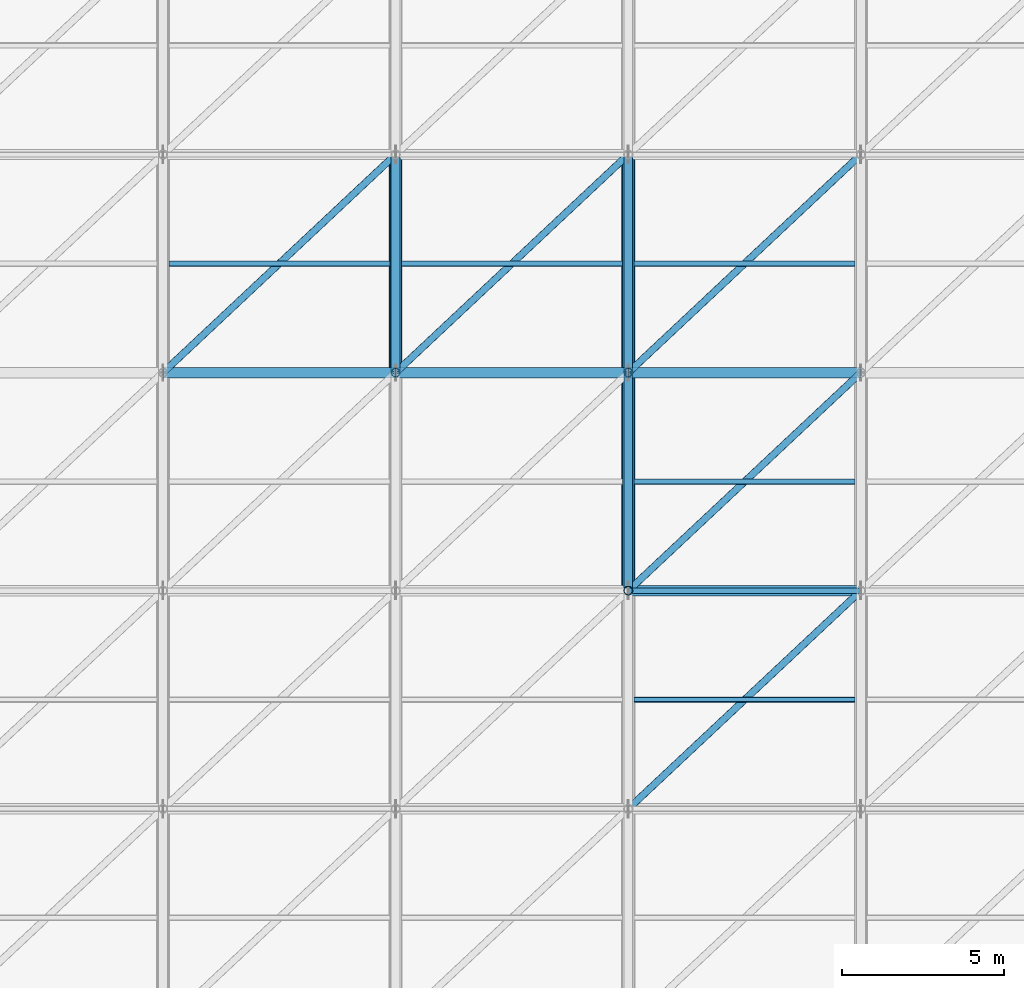
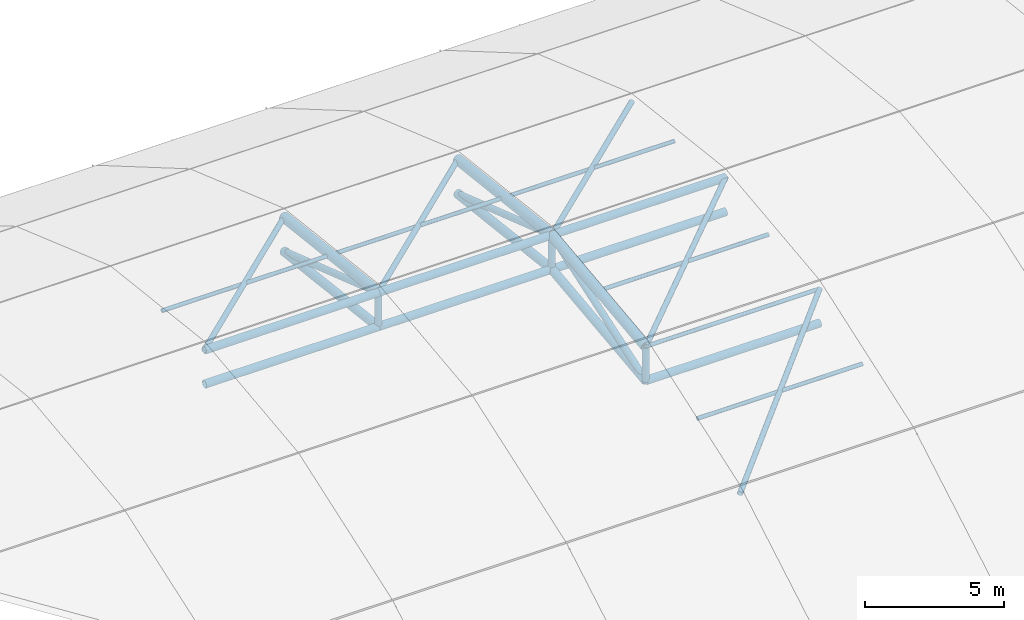
# One storey, part 4 of 72: 27 members, 3 beams.
"""IFC4 building model written with IfcOpenShell, lengths in metres."""

from ifc_helpers import new_model, si_unit, direction, frame, origin, origin_2d, place, context, subcontext, project, spatial, hollow_circle, extrude, material, material_profile, profile_set, type_object, element, save


model = new_model("IFC4")

# Units and contexts
model_context = context("Model", 3, precision=1e-05, world=origin(), true_north=direction((0.0, 1.0)))
body_context = subcontext(model_context, "Body", "Model", "MODEL_VIEW")
ifc_project = project(units=[si_unit("LENGTHUNIT", "METRE"), si_unit("AREAUNIT", "SQUARE_METRE"), si_unit("VOLUMEUNIT", "CUBIC_METRE"), si_unit("PLANEANGLEUNIT", "RADIAN"), si_unit("MASSUNIT", "GRAM", prefix="KILO")], contexts=[model_context])

# Site, building, storey
site_placement = place(None, origin())
site = spatial("IfcSite", under=ifc_project, at=site_placement, CompositionType="ELEMENT")
building_placement = place(site_placement, origin())
building = spatial("IfcBuilding", under=site, at=building_placement, Name="Vaelcorin Mobility Hub", CompositionType="ELEMENT")
storey_placement = place(building_placement, frame((0.0, 0.0, 25.800048828125)))
storey = spatial("IfcBuildingStorey", under=building, at=storey_placement, Name="RF", CompositionType="ELEMENT", Elevation=25.800048828125)

# Members
ifc_material = material(Name="Steel ASTM A500 Grade C", Category="steel")
ifc_material_profile_1 = material_profile(ifc_material, hollow_circle(Radius=0.161865234375, WallThickness=0.0126953125, at=origin_2d()), Name="HSS12.750X0.500")
ifc_profile_set_1 = profile_set([ifc_material_profile_1], Name="Steel ASTM A500 Grade C")
member_type_1 = type_object("IfcMemberType", Name="SF-CHORD-12", PredefinedType="CHORD", material=ifc_profile_set_1)
for number, where, z_axis, x_axis, name in (
    (1, (50.39990234375, 33.0, -7.199951171875), (1.0, 0.0, 0.0), (0.0, 1.0, 0.0), "Space Frame Longitudinal Chord 3-4"),
    (2, (50.39990234375, 33.0, -8.699951171875), (1.0, 0.0, 0.0), (0.0, 1.0, 0.0), "Space Frame Lower Longitudinal Chord 3-4"),
):
    element("IfcMember", number, at=place(storey_placement, frame(where, z_axis=z_axis, x_axis=x_axis)), inside=storey, type_object=member_type_1, Name=name, PredefinedType="CHORD", context=body_context, shape_type="SweptSolid", body=[
        extrude(hollow_circle(Radius=0.161865234375, WallThickness=0.0126953125, at=origin_2d()), origin(), (0.0, 0.0, 1.0), 7.2001953125),
    ])
for number, where, z_axis, x_axis, name in (
    (3, (57.60009765625, 33.0, -7.199951171875), (1.0, 0.0, 0.0), (0.0, 1.0, 0.0), "Space Frame Longitudinal Chord 4-4"),
    (4, (57.60009765625, 33.0, -8.699951171875), (1.0, 0.0, 0.0), (0.0, 1.0, 0.0), "Space Frame Lower Longitudinal Chord 4-4"),
    (5, (64.800048828125, 26.25, -9.488037109375), (1.0, 0.0, 0.0), (0.0, 1.0, 0.0), "Space Frame Lower Longitudinal Chord 5-3"),
    (6, (64.800048828125, 33.0, -7.199951171875), (1.0, 0.0, 0.0), (0.0, 1.0, 0.0), "Space Frame Longitudinal Chord 5-4"),
    (7, (64.800048828125, 33.0, -8.699951171875), (1.0, 0.0, 0.0), (0.0, 1.0, 0.0), "Space Frame Lower Longitudinal Chord 5-4"),
):
    element("IfcMember", number, at=place(storey_placement, frame(where, z_axis=z_axis, x_axis=x_axis)), inside=storey, type_object=member_type_1, Name=name, PredefinedType="CHORD", context=body_context, shape_type="SweptSolid", body=[
        extrude(hollow_circle(Radius=0.161865234375, WallThickness=0.0126953125, at=origin_2d()), origin(), (0.0, 0.0, 1.0), 7.199951171875),
    ])
ifc_material_profile_2 = material_profile(ifc_material, hollow_circle(Radius=0.177734375, WallThickness=0.0126953125, at=origin_2d()), Name="HSS14.000X0.500")
ifc_profile_set_2 = profile_set([ifc_material_profile_2], Name="Steel ASTM A500 Grade C")
member_type_2 = type_object("IfcMemberType", Name="SF-CHORD-14", PredefinedType="CHORD", material=ifc_profile_set_2)
for number, where, z_axis, x_axis, name in (
    (8, (57.60009765625, 33.0, -8.699951171875), (0.0, 0.993253211532, -0.115965761242), (-1.0, 0.0, 0.0), "Space Frame Roof Truss Lower Chord 4-5"),
    (9, (64.800048828125, 26.25, -9.488037109375), (0.0, 0.993253211532, 0.115965761242), (-1.0, 0.0, 0.0), "Space Frame Roof Truss Lower Chord 5-4"),
    (10, (64.800048828125, 33.0, -8.699951171875), (0.0, 0.993253211532, -0.115965761242), (-1.0, 0.0, 0.0), "Space Frame Roof Truss Lower Chord 5-5"),
):
    element("IfcMember", number, at=place(storey_placement, frame(where, z_axis=z_axis, x_axis=x_axis)), inside=storey, type_object=member_type_2, Name=name, PredefinedType="CHORD", context=body_context, shape_type="SweptSolid", body=[
        extrude(hollow_circle(Radius=0.177734375, WallThickness=0.0126953125, at=origin_2d()), origin(), (0.0, 0.0, 1.0), 6.7958984375),
    ])
ifc_material_profile_3 = material_profile(ifc_material, hollow_circle(Radius=0.136474609375, WallThickness=0.0126953125, at=origin_2d()), Name="HSS10.750X0.500")
ifc_profile_set_3 = profile_set([ifc_material_profile_3], Name="Steel ASTM A500 Grade C")
member_type_3 = type_object("IfcMemberType", Name="SF-DIAG-10", PredefinedType="BRACE", material=ifc_profile_set_3)
for number, where, z_axis, x_axis, name in (
    (11, (57.60009765625, 33.0, -7.199951171875), (0.0, 0.947067997683, -0.321033032201), (-1.0, 0.0, 0.0), "Space Frame Roof Truss Web Diagonal 4-5"),
    (12, (64.800048828125, 26.25, -9.488037109375), (0.0, 0.947067997683, 0.321033032201), (-1.0, 0.0, 0.0), "Space Frame Roof Truss Web Diagonal 5-4"),
    (13, (64.800048828125, 33.0, -7.199951171875), (0.0, 0.947067997683, -0.321033032201), (-1.0, 0.0, 0.0), "Space Frame Roof Truss Web Diagonal 5-5"),
):
    element("IfcMember", number, at=place(storey_placement, frame(where, z_axis=z_axis, x_axis=x_axis)), inside=storey, type_object=member_type_3, Name=name, PredefinedType="BRACE", context=body_context, shape_type="SweptSolid", body=[
        extrude(hollow_circle(Radius=0.136474609375, WallThickness=0.0126953125, at=origin_2d()), origin(), (0.0, 0.0, 1.0), 7.127197265625),
    ])
ifc_material_profile_4 = material_profile(ifc_material, hollow_circle(Radius=0.109619140625, WallThickness=0.009521484375, at=origin_2d()), Name="HSS8.625X0.375")
ifc_profile_set_4 = profile_set([ifc_material_profile_4], Name="Steel ASTM A500 Grade C")
member_type_4 = type_object("IfcMemberType", Name="SF-DIAG-8", PredefinedType="BRACE", material=ifc_profile_set_4)
member_1_placement = place(storey_placement, frame((50.39990234375, 33.0, -7.199951171875), z_axis=(0.727231644307, 0.681761172583, -0.079597984125), x_axis=(-0.683931254551, 0.729546461199, 0.0)))
element("IfcMember", 14, at=member_1_placement, inside=storey, type_object=member_type_4, Name="Space Frame Bracing Diagonal 3-5", PredefinedType="BRACE", context=body_context, shape_type="SweptSolid", body=[
    extrude(hollow_circle(Radius=0.109619140625, WallThickness=0.009521484375, at=origin_2d()), origin(), (0.0, 0.0, 1.0), 9.90087890625),
])
member_2_placement = place(storey_placement, frame((57.60009765625, 33.0, -7.199951171875), z_axis=(0.727220026483, 0.6817733984, -0.079599411532), x_axis=(-0.683943597489, 0.729534889813, 0.0)))
element("IfcMember", 15, at=member_2_placement, inside=storey, type_object=member_type_4, Name="Space Frame Bracing Diagonal 4-5", PredefinedType="BRACE", context=body_context, shape_type="SweptSolid", body=[
    extrude(hollow_circle(Radius=0.109619140625, WallThickness=0.009521484375, at=origin_2d()), origin(), (0.0, 0.0, 1.0), 9.900634765625),
])
member_3_placement = place(storey_placement, frame((64.800048828125, 19.5, -10.35009765625), z_axis=(0.709497274068, 0.665158205331, 0.232762067295), x_axis=(-0.683943597489, 0.729534889813, 0.0)))
element("IfcMember", 16, at=member_3_placement, inside=storey, type_object=member_type_4, Name="Space Frame Bracing Diagonal 5-3", PredefinedType="BRACE", context=body_context, shape_type="SweptSolid", body=[
    extrude(hollow_circle(Radius=0.109619140625, WallThickness=0.009521484375, at=origin_2d()), origin(), (0.0, 0.0, 1.0), 10.14794921875),
])
for number, where, z_axis, x_axis, name in (
    (17, (64.800048828125, 26.25, -7.988037109375), (0.727220026483, 0.6817733984, 0.079599411532), (-0.683943597489, 0.729534889813, 0.0), "Space Frame Bracing Diagonal 5-4"),
    (18, (64.800048828125, 33.0, -7.199951171875), (0.727220026483, 0.6817733984, -0.079599411532), (-0.683943597489, 0.729534889813, 0.0), "Space Frame Bracing Diagonal 5-5"),
):
    element("IfcMember", number, at=place(storey_placement, frame(where, z_axis=z_axis, x_axis=x_axis)), inside=storey, type_object=member_type_4, Name=name, PredefinedType="BRACE", context=body_context, shape_type="SweptSolid", body=[
        extrude(hollow_circle(Radius=0.109619140625, WallThickness=0.009521484375, at=origin_2d()), origin(), (0.0, 0.0, 1.0), 9.900634765625),
    ])
ifc_material_profile_5 = material_profile(ifc_material, hollow_circle(Radius=0.136474609375, WallThickness=0.0126953125, at=origin_2d()), Name="HSS10.750X0.500")
ifc_profile_set_5 = profile_set([ifc_material_profile_5], Name="Steel ASTM A500 Grade C")
member_type_5 = type_object("IfcMemberType", Name="SF-POST-10", PredefinedType="POST", material=ifc_profile_set_5)
for number, where, z_axis, x_axis, name in (
    (19, (57.60009765625, 33.0, -8.699951171875), (0.0, 0.0, 1.0), (1.0, 0.0, 0.0), "Space Frame Roof Truss Post 4-4"),
    (20, (64.800048828125, 26.25, -9.488037109375), (0.0, 0.0, 1.0), (1.0, 0.0, 0.0), "Space Frame Roof Truss Post 5-3"),
    (21, (64.800048828125, 33.0, -8.699951171875), (0.0, 0.0, 1.0), (1.0, 0.0, 0.0), "Space Frame Roof Truss Post 5-4"),
):
    element("IfcMember", number, at=place(storey_placement, frame(where, z_axis=z_axis, x_axis=x_axis)), inside=storey, type_object=member_type_5, Name=name, PredefinedType="POST", context=body_context, shape_type="SweptSolid", body=[
        extrude(hollow_circle(Radius=0.136474609375, WallThickness=0.0126953125, at=origin_2d()), origin(), (0.0, 0.0, 1.0), 1.5),
    ])
ifc_material_profile_6 = material_profile(ifc_material, hollow_circle(Radius=0.084228515625, WallThickness=0.0078125, at=origin_2d()), Name="HSS6.625X0.312")
ifc_profile_set_6 = profile_set([ifc_material_profile_6], Name="Steel ASTM A500 Grade C")
member_type_6 = type_object("IfcMemberType", Name="SF-PURL-6", PredefinedType="PURLIN", material=ifc_profile_set_6)
member_4_placement = place(storey_placement, frame((50.580078125, 36.375, -7.593994140625), z_axis=(1.0, 0.0, 0.0), x_axis=(0.0, 1.0, 0.0)))
element("IfcMember", 22, at=member_4_placement, inside=storey, type_object=member_type_6, Name="Space Frame Secondary Purlin 3-5", PredefinedType="PURLIN", context=body_context, shape_type="SweptSolid", body=[
    extrude(hollow_circle(Radius=0.084228515625, WallThickness=0.0078125, at=origin_2d()), origin(), (0.0, 0.0, 1.0), 6.83984375),
])
member_5_placement = place(storey_placement, frame((57.780029296875, 36.375, -7.593994140625), z_axis=(1.0, 0.0, 0.0), x_axis=(0.0, 1.0, 0.0)))
element("IfcMember", 23, at=member_5_placement, inside=storey, type_object=member_type_6, Name="Space Frame Secondary Purlin 4-5", PredefinedType="PURLIN", context=body_context, shape_type="SweptSolid", body=[
    extrude(hollow_circle(Radius=0.084228515625, WallThickness=0.0078125, at=origin_2d()), origin(), (0.0, 0.0, 1.0), 6.840087890625),
])
member_6_placement = place(storey_placement, frame((64.800048828125, 26.25, -7.988037109375), z_axis=(1.0, 0.0, 0.0), x_axis=(0.0, 1.0, 0.0)))
element("IfcMember", 24, at=member_6_placement, inside=storey, type_object=member_type_6, Name="Space Frame Longitudinal Chord 5-3", PredefinedType="PURLIN", context=body_context, shape_type="SweptSolid", body=[
    extrude(hollow_circle(Radius=0.084228515625, WallThickness=0.0078125, at=origin_2d()), origin(), (0.0, 0.0, 1.0), 7.199951171875),
])
for number, where, z_axis, x_axis, name in (
    (25, (64.97998046875, 22.875, -9.1689453125), (1.0, 0.0, 0.0), (0.0, 1.0, 0.0), "Space Frame Secondary Purlin 5-3"),
    (26, (64.97998046875, 29.625, -7.593994140625), (1.0, 0.0, 0.0), (0.0, 1.0, 0.0), "Space Frame Secondary Purlin 5-4"),
    (27, (64.97998046875, 36.375, -7.593994140625), (1.0, 0.0, 0.0), (0.0, 1.0, 0.0), "Space Frame Secondary Purlin 5-5"),
):
    element("IfcMember", number, at=place(storey_placement, frame(where, z_axis=z_axis, x_axis=x_axis)), inside=storey, type_object=member_type_6, Name=name, PredefinedType="PURLIN", context=body_context, shape_type="SweptSolid", body=[
        extrude(hollow_circle(Radius=0.084228515625, WallThickness=0.0078125, at=origin_2d()), origin(), (0.0, 0.0, 1.0), 6.840087890625),
    ])

# Beams
ifc_material_profile_7 = material_profile(ifc_material, hollow_circle(Radius=0.203125, WallThickness=0.015869140625, at=origin_2d()), Name="HSS16.000X0.625")
ifc_profile_set_7 = profile_set([ifc_material_profile_7], Name="Steel ASTM A500 Grade C")
beam_type = type_object("IfcBeamType", Name="TR-CHORD-16", PredefinedType="BEAM", material=ifc_profile_set_7)
for number, where, z_axis, x_axis, name in (
    (28, (57.60009765625, 33.0, -7.199951171875), (0.0, 0.993253211532, -0.115965761242), (-1.0, 0.0, 0.0), "Space Frame Roof Truss Upper Chord 4-5"),
    (29, (64.800048828125, 26.25, -7.988037109375), (0.0, 0.993253211532, 0.115965761242), (-1.0, 0.0, 0.0), "Space Frame Roof Truss Upper Chord 5-4"),
    (30, (64.800048828125, 33.0, -7.199951171875), (0.0, 0.993253211532, -0.115965761242), (-1.0, 0.0, 0.0), "Space Frame Roof Truss Upper Chord 5-5"),
):
    element("IfcBeam", number, at=place(storey_placement, frame(where, z_axis=z_axis, x_axis=x_axis)), inside=storey, type_object=beam_type, Name=name, PredefinedType="BEAM", context=body_context, shape_type="SweptSolid", body=[
        extrude(hollow_circle(Radius=0.203125, WallThickness=0.015869140625, at=origin_2d()), origin(), (0.0, 0.0, 1.0), 6.7958984375),
    ])

save(model, "model.ifc")
